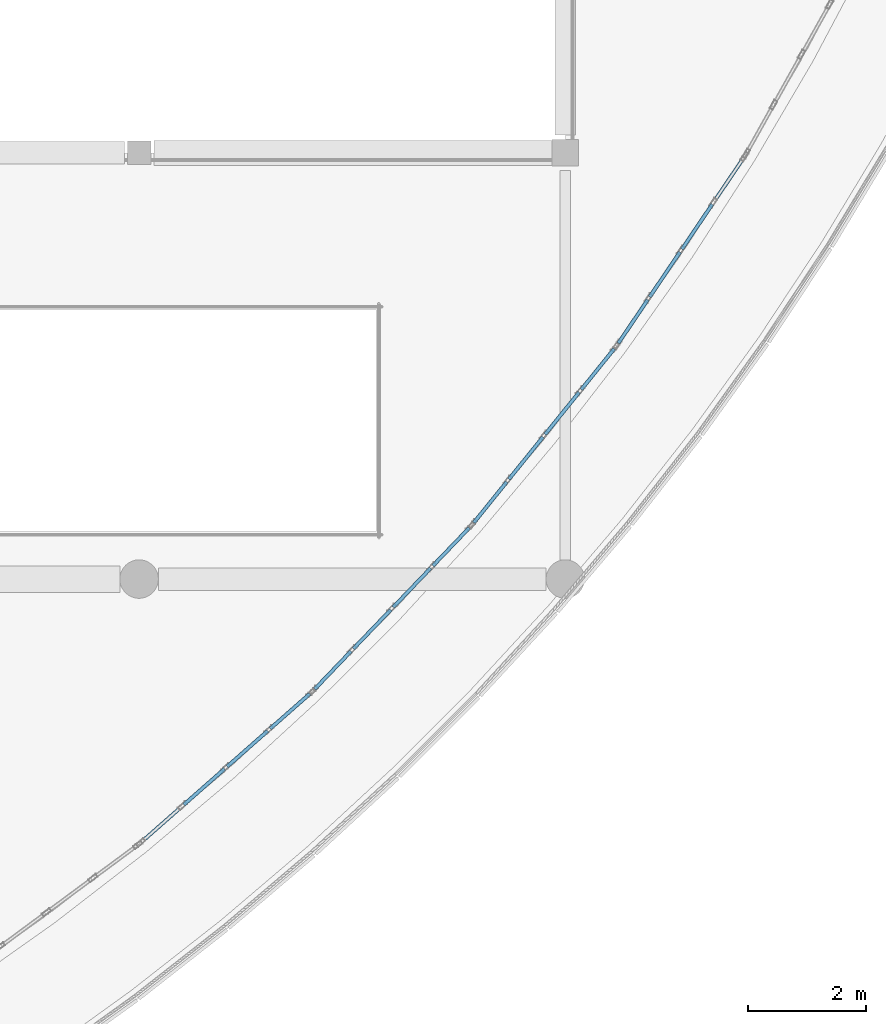
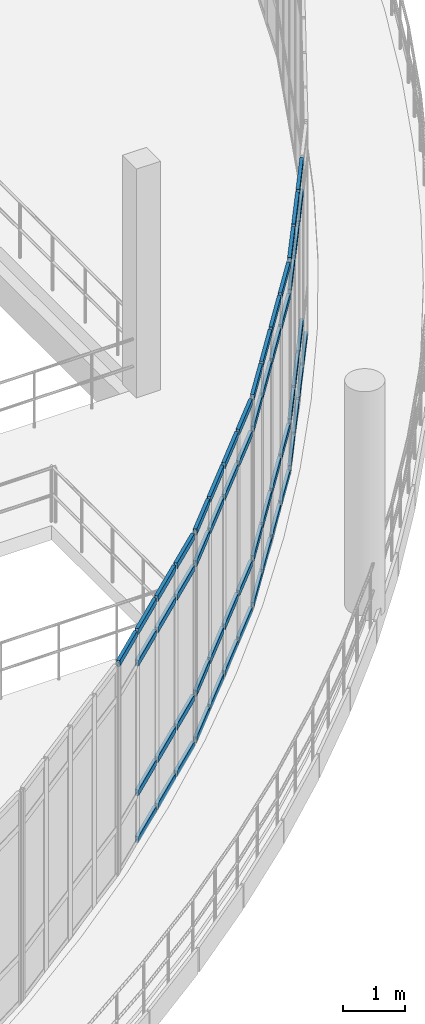
# One storey, part 81 of 116: 58 members, 4 elements without a shape of their own.
"""IFC4 building model written with IfcOpenShell, lengths in metres."""

from ifc_helpers import new_model, si_unit, direction, frame, origin, origin_2d, place, context, subcontext, project, spatial, hollow_rectangle, extrude, material, material_profile, profile_set, type_object, element, aggregate, save


model = new_model("IFC4")

# Units and contexts
model_context = context("Model", 3, precision=1e-05, world=origin(), true_north=direction((0.0, 1.0)))
body_context = subcontext(model_context, "Body", "Model", "MODEL_VIEW")
ifc_project = project(units=[si_unit("LENGTHUNIT", "METRE"), si_unit("AREAUNIT", "SQUARE_METRE"), si_unit("VOLUMEUNIT", "CUBIC_METRE"), si_unit("PLANEANGLEUNIT", "RADIAN"), si_unit("MASSUNIT", "GRAM", prefix="KILO")], contexts=[model_context])

# Site, building, storey
site_placement = place(None, origin())
site = spatial("IfcSite", under=ifc_project, at=site_placement, CompositionType="ELEMENT")
building_placement = place(site_placement, origin())
building = spatial("IfcBuilding", under=site, at=building_placement, Name="Kalluvel Institute of Natural Sciences", CompositionType="ELEMENT")
storey_placement = place(building_placement, frame((0.0, 0.0, 14.39990234375)))
storey = spatial("IfcBuildingStorey", under=building, at=storey_placement, Name="L03", CompositionType="ELEMENT", Elevation=14.39990234375)

# Curtain wall, members
ifc_material = material(Name="Aluminium AW-6063 T6", Category="aluminium")
curtain_wall_type = type_object("IfcCurtainWallType", Name="CW-ATR-ARC", PredefinedType="USERDEFINED", material=ifc_material)
curtain_wall_1_placement = place(storey_placement, origin())
curtain_wall_1 = element("IfcCurtainWall", 1, at=curtain_wall_1_placement, inside=storey, type_object=curtain_wall_type, Name="L03 Gothic lancet curtain wall CWA-L03-X644-Y671", ObjectType="UNITISED LANCET FACADE", PredefinedType="USERDEFINED")
ifc_material_profile = material_profile(ifc_material, hollow_rectangle(XDim=0.06005859375, YDim=0.1201171875, WallThickness=0.00390625, at=origin_2d()), Name="CWT 60x120")
ifc_profile_set = profile_set([ifc_material_profile], Name="Aluminium AW-6063 T6")
member_type = type_object("IfcMemberType", Name="CWT-60x120", PredefinedType="USERDEFINED", material=ifc_profile_set)
member_1_placement = place(storey_placement, frame((64.448974609375, 67.166748046875, 4.1201171875), z_axis=(0.750740943472, 0.660596727055, 0.0), x_axis=(-0.660596727055, 0.750740943472, 0.0)))
member_1 = element("IfcMember", 2, at=member_1_placement, type_object=member_type, Name="CW-05 transom 1.4", ObjectType="TRANSOM", PredefinedType="USERDEFINED", context=body_context, shape_type="SweptSolid", body=[
    extrude(hollow_rectangle(XDim=0.06005859375, YDim=0.1201171875, WallThickness=0.00390625, at=origin_2d()), origin(), (0.0, 0.0, 1.0), 0.8828125),
])
member_2_placement = place(storey_placement, frame((65.15673828125, 67.789794921875, 0.030029296875), z_axis=(0.750734738971, 0.660603778147, 0.0), x_axis=(-0.660603778147, 0.750734738971, 0.0)))
member_2 = element("IfcMember", 3, at=member_2_placement, type_object=member_type, Name="CW-05 transom 2.1", ObjectType="TRANSOM", PredefinedType="USERDEFINED", context=body_context, shape_type="SweptSolid", body=[
    extrude(hollow_rectangle(XDim=0.06005859375, YDim=0.1201171875, WallThickness=0.00390625, at=origin_2d()), origin(), (0.0, 0.0, 1.0), 0.912841796875),
])
member_3_placement = place(storey_placement, frame((65.15673828125, 67.789794921875, 0.9501953125), z_axis=(0.750734738971, 0.660603778147, 0.0), x_axis=(-0.660603778147, 0.750734738971, 0.0)))
member_3 = element("IfcMember", 4, at=member_3_placement, type_object=member_type, Name="CW-05 transom 2.2", ObjectType="TRANSOM", PredefinedType="USERDEFINED", context=body_context, shape_type="SweptSolid", body=[
    extrude(hollow_rectangle(XDim=0.06005859375, YDim=0.1201171875, WallThickness=0.00390625, at=origin_2d()), origin(), (0.0, 0.0, 1.0), 0.912841796875),
])
member_4_placement = place(storey_placement, frame((65.15673828125, 67.789794921875, 3.5), z_axis=(0.750734738971, 0.660603778147, 0.0), x_axis=(-0.660603778147, 0.750734738971, 0.0)))
member_4 = element("IfcMember", 5, at=member_4_placement, type_object=member_type, Name="CW-05 transom 2.3", ObjectType="TRANSOM", PredefinedType="USERDEFINED", context=body_context, shape_type="SweptSolid", body=[
    extrude(hollow_rectangle(XDim=0.06005859375, YDim=0.1201171875, WallThickness=0.00390625, at=origin_2d()), origin(), (0.0, 0.0, 1.0), 0.912841796875),
])
member_5_placement = place(storey_placement, frame((65.15673828125, 67.789794921875, 4.1201171875), z_axis=(0.750734738971, 0.660603778147, 0.0), x_axis=(-0.660603778147, 0.750734738971, 0.0)))
member_5 = element("IfcMember", 6, at=member_5_placement, type_object=member_type, Name="CW-05 transom 2.4", ObjectType="TRANSOM", PredefinedType="USERDEFINED", context=body_context, shape_type="SweptSolid", body=[
    extrude(hollow_rectangle(XDim=0.06005859375, YDim=0.1201171875, WallThickness=0.00390625, at=origin_2d()), origin(), (0.0, 0.0, 1.0), 0.912841796875),
])
member_6_placement = place(storey_placement, frame((65.88720703125, 68.4326171875, 0.030029296875), z_axis=(0.750734738971, 0.660603778147, 0.0), x_axis=(-0.660603778147, 0.750734738971, 0.0)))
member_6 = element("IfcMember", 7, at=member_6_placement, type_object=member_type, Name="CW-05 transom 3.1", ObjectType="TRANSOM", PredefinedType="USERDEFINED", context=body_context, shape_type="SweptSolid", body=[
    extrude(hollow_rectangle(XDim=0.06005859375, YDim=0.1201171875, WallThickness=0.00390625, at=origin_2d()), origin(), (0.0, 0.0, 1.0), 0.912841796875),
])
member_7_placement = place(storey_placement, frame((65.88720703125, 68.4326171875, 0.9501953125), z_axis=(0.750734738971, 0.660603778147, 0.0), x_axis=(-0.660603778147, 0.750734738971, 0.0)))
member_7 = element("IfcMember", 8, at=member_7_placement, type_object=member_type, Name="CW-05 transom 3.2", ObjectType="TRANSOM", PredefinedType="USERDEFINED", context=body_context, shape_type="SweptSolid", body=[
    extrude(hollow_rectangle(XDim=0.06005859375, YDim=0.1201171875, WallThickness=0.00390625, at=origin_2d()), origin(), (0.0, 0.0, 1.0), 0.912841796875),
])
member_8_placement = place(storey_placement, frame((65.88720703125, 68.4326171875, 3.5), z_axis=(0.750734738971, 0.660603778147, 0.0), x_axis=(-0.660603778147, 0.750734738971, 0.0)))
member_8 = element("IfcMember", 9, at=member_8_placement, type_object=member_type, Name="CW-05 transom 3.3", ObjectType="TRANSOM", PredefinedType="USERDEFINED", context=body_context, shape_type="SweptSolid", body=[
    extrude(hollow_rectangle(XDim=0.06005859375, YDim=0.1201171875, WallThickness=0.00390625, at=origin_2d()), origin(), (0.0, 0.0, 1.0), 0.912841796875),
])
member_9_placement = place(storey_placement, frame((65.88720703125, 68.4326171875, 4.1201171875), z_axis=(0.750734738971, 0.660603778147, 0.0), x_axis=(-0.660603778147, 0.750734738971, 0.0)))
member_9 = element("IfcMember", 10, at=member_9_placement, type_object=member_type, Name="CW-05 transom 3.4", ObjectType="TRANSOM", PredefinedType="USERDEFINED", context=body_context, shape_type="SweptSolid", body=[
    extrude(hollow_rectangle(XDim=0.06005859375, YDim=0.1201171875, WallThickness=0.00390625, at=origin_2d()), origin(), (0.0, 0.0, 1.0), 0.912841796875),
])
member_10_placement = place(storey_placement, frame((66.617431640625, 69.075439453125, 0.030029296875), z_axis=(0.750740943472, 0.660596727055, 0.0), x_axis=(-0.660596727055, 0.750740943472, 0.0)))
member_10 = element("IfcMember", 11, at=member_10_placement, type_object=member_type, Name="CW-05 transom 4.1", ObjectType="TRANSOM", PredefinedType="USERDEFINED", context=body_context, shape_type="SweptSolid", body=[
    extrude(hollow_rectangle(XDim=0.06005859375, YDim=0.1201171875, WallThickness=0.00390625, at=origin_2d()), origin(), (0.0, 0.0, 1.0), 0.8828125),
])
member_11_placement = place(storey_placement, frame((66.617431640625, 69.075439453125, 0.9501953125), z_axis=(0.750740943472, 0.660596727055, 0.0), x_axis=(-0.660596727055, 0.750740943472, 0.0)))
member_11 = element("IfcMember", 12, at=member_11_placement, type_object=member_type, Name="CW-05 transom 4.2", ObjectType="TRANSOM", PredefinedType="USERDEFINED", context=body_context, shape_type="SweptSolid", body=[
    extrude(hollow_rectangle(XDim=0.06005859375, YDim=0.1201171875, WallThickness=0.00390625, at=origin_2d()), origin(), (0.0, 0.0, 1.0), 0.8828125),
])
member_12_placement = place(storey_placement, frame((66.617431640625, 69.075439453125, 3.5), z_axis=(0.750740943472, 0.660596727055, 0.0), x_axis=(-0.660596727055, 0.750740943472, 0.0)))
member_12 = element("IfcMember", 13, at=member_12_placement, type_object=member_type, Name="CW-05 transom 4.3", ObjectType="TRANSOM", PredefinedType="USERDEFINED", context=body_context, shape_type="SweptSolid", body=[
    extrude(hollow_rectangle(XDim=0.06005859375, YDim=0.1201171875, WallThickness=0.00390625, at=origin_2d()), origin(), (0.0, 0.0, 1.0), 0.8828125),
])
member_13_placement = place(storey_placement, frame((66.617431640625, 69.075439453125, 4.1201171875), z_axis=(0.750740943472, 0.660596727055, 0.0), x_axis=(-0.660596727055, 0.750740943472, 0.0)))
member_13 = element("IfcMember", 14, at=member_13_placement, type_object=member_type, Name="CW-05 transom 4.4", ObjectType="TRANSOM", PredefinedType="USERDEFINED", context=body_context, shape_type="SweptSolid", body=[
    extrude(hollow_rectangle(XDim=0.06005859375, YDim=0.1201171875, WallThickness=0.00390625, at=origin_2d()), origin(), (0.0, 0.0, 1.0), 0.8828125),
])
aggregate(curtain_wall_1, [member_1, member_2, member_3, member_4, member_5, member_6, member_7, member_8, member_9, member_10, member_11, member_12, member_13])

curtain_wall_2_placement = place(storey_placement, origin())
curtain_wall_2 = element("IfcCurtainWall", 15, at=curtain_wall_2_placement, inside=storey, type_object=curtain_wall_type, Name="L03 Gothic lancet curtain wall CWA-L03-X673-Y697", ObjectType="UNITISED LANCET FACADE", PredefinedType="USERDEFINED")
member_14_placement = place(storey_placement, frame((67.366943359375, 69.74169921875, 0.030029296875), z_axis=(0.691875332348, 0.722016983518, 0.0), x_axis=(-0.722016983518, 0.691875332348, 0.0)))
member_14 = element("IfcMember", 16, at=member_14_placement, type_object=member_type, Name="CW-05 transom 1.1", ObjectType="TRANSOM", PredefinedType="USERDEFINED", context=body_context, shape_type="SweptSolid", body=[
    extrude(hollow_rectangle(XDim=0.06005859375, YDim=0.1201171875, WallThickness=0.00390625, at=origin_2d()), origin(), (0.0, 0.0, 1.0), 0.8828125),
])
member_15_placement = place(storey_placement, frame((67.366943359375, 69.74169921875, 0.9501953125), z_axis=(0.691875332348, 0.722016983518, 0.0), x_axis=(-0.722016983518, 0.691875332348, 0.0)))
member_15 = element("IfcMember", 17, at=member_15_placement, type_object=member_type, Name="CW-05 transom 1.2", ObjectType="TRANSOM", PredefinedType="USERDEFINED", context=body_context, shape_type="SweptSolid", body=[
    extrude(hollow_rectangle(XDim=0.06005859375, YDim=0.1201171875, WallThickness=0.00390625, at=origin_2d()), origin(), (0.0, 0.0, 1.0), 0.8828125),
])
member_16_placement = place(storey_placement, frame((67.366943359375, 69.74169921875, 3.5), z_axis=(0.691875332348, 0.722016983518, 0.0), x_axis=(-0.722016983518, 0.691875332348, 0.0)))
member_16 = element("IfcMember", 18, at=member_16_placement, type_object=member_type, Name="CW-05 transom 1.3", ObjectType="TRANSOM", PredefinedType="USERDEFINED", context=body_context, shape_type="SweptSolid", body=[
    extrude(hollow_rectangle(XDim=0.06005859375, YDim=0.1201171875, WallThickness=0.00390625, at=origin_2d()), origin(), (0.0, 0.0, 1.0), 0.8828125),
])
member_17_placement = place(storey_placement, frame((67.366943359375, 69.74169921875, 4.1201171875), z_axis=(0.691875332348, 0.722016983518, 0.0), x_axis=(-0.722016983518, 0.691875332348, 0.0)))
member_17 = element("IfcMember", 19, at=member_17_placement, type_object=member_type, Name="CW-05 transom 1.4", ObjectType="TRANSOM", PredefinedType="USERDEFINED", context=body_context, shape_type="SweptSolid", body=[
    extrude(hollow_rectangle(XDim=0.06005859375, YDim=0.1201171875, WallThickness=0.00390625, at=origin_2d()), origin(), (0.0, 0.0, 1.0), 0.8828125),
])
member_18_placement = place(storey_placement, frame((68.019287109375, 70.42236328125, 0.030029296875), z_axis=(0.691975047751, 0.721921417669, 0.0), x_axis=(-0.721921417669, 0.691975047751, 0.0)))
member_18 = element("IfcMember", 20, at=member_18_placement, type_object=member_type, Name="CW-05 transom 2.1", ObjectType="TRANSOM", PredefinedType="USERDEFINED", context=body_context, shape_type="SweptSolid", body=[
    extrude(hollow_rectangle(XDim=0.06005859375, YDim=0.1201171875, WallThickness=0.00390625, at=origin_2d()), origin(), (0.0, 0.0, 1.0), 0.9130859375),
])
member_19_placement = place(storey_placement, frame((68.019287109375, 70.42236328125, 0.9501953125), z_axis=(0.691975047751, 0.721921417669, 0.0), x_axis=(-0.721921417669, 0.691975047751, 0.0)))
member_19 = element("IfcMember", 21, at=member_19_placement, type_object=member_type, Name="CW-05 transom 2.2", ObjectType="TRANSOM", PredefinedType="USERDEFINED", context=body_context, shape_type="SweptSolid", body=[
    extrude(hollow_rectangle(XDim=0.06005859375, YDim=0.1201171875, WallThickness=0.00390625, at=origin_2d()), origin(), (0.0, 0.0, 1.0), 0.9130859375),
])
member_20_placement = place(storey_placement, frame((68.019287109375, 70.42236328125, 3.5), z_axis=(0.691975047751, 0.721921417669, 0.0), x_axis=(-0.721921417669, 0.691975047751, 0.0)))
member_20 = element("IfcMember", 22, at=member_20_placement, type_object=member_type, Name="CW-05 transom 2.3", ObjectType="TRANSOM", PredefinedType="USERDEFINED", context=body_context, shape_type="SweptSolid", body=[
    extrude(hollow_rectangle(XDim=0.06005859375, YDim=0.1201171875, WallThickness=0.00390625, at=origin_2d()), origin(), (0.0, 0.0, 1.0), 0.9130859375),
])
member_21_placement = place(storey_placement, frame((68.019287109375, 70.42236328125, 4.1201171875), z_axis=(0.691975047751, 0.721921417669, 0.0), x_axis=(-0.721921417669, 0.691975047751, 0.0)))
member_21 = element("IfcMember", 23, at=member_21_placement, type_object=member_type, Name="CW-05 transom 2.4", ObjectType="TRANSOM", PredefinedType="USERDEFINED", context=body_context, shape_type="SweptSolid", body=[
    extrude(hollow_rectangle(XDim=0.06005859375, YDim=0.1201171875, WallThickness=0.00390625, at=origin_2d()), origin(), (0.0, 0.0, 1.0), 0.9130859375),
])
member_22_placement = place(storey_placement, frame((68.692626953125, 71.124755859375, 0.030029296875), z_axis=(0.691835659378, 0.722054998191, 0.0), x_axis=(-0.722054998191, 0.691835659378, 0.0)))
member_22 = element("IfcMember", 24, at=member_22_placement, type_object=member_type, Name="CW-05 transom 3.1", ObjectType="TRANSOM", PredefinedType="USERDEFINED", context=body_context, shape_type="SweptSolid", body=[
    extrude(hollow_rectangle(XDim=0.06005859375, YDim=0.1201171875, WallThickness=0.00390625, at=origin_2d()), origin(), (0.0, 0.0, 1.0), 0.912841796875),
])
member_23_placement = place(storey_placement, frame((68.692626953125, 71.124755859375, 0.9501953125), z_axis=(0.691835659378, 0.722054998191, 0.0), x_axis=(-0.722054998191, 0.691835659378, 0.0)))
member_23 = element("IfcMember", 25, at=member_23_placement, type_object=member_type, Name="CW-05 transom 3.2", ObjectType="TRANSOM", PredefinedType="USERDEFINED", context=body_context, shape_type="SweptSolid", body=[
    extrude(hollow_rectangle(XDim=0.06005859375, YDim=0.1201171875, WallThickness=0.00390625, at=origin_2d()), origin(), (0.0, 0.0, 1.0), 0.912841796875),
])
member_24_placement = place(storey_placement, frame((68.692626953125, 71.124755859375, 3.5), z_axis=(0.691835659378, 0.722054998191, 0.0), x_axis=(-0.722054998191, 0.691835659378, 0.0)))
member_24 = element("IfcMember", 26, at=member_24_placement, type_object=member_type, Name="CW-05 transom 3.3", ObjectType="TRANSOM", PredefinedType="USERDEFINED", context=body_context, shape_type="SweptSolid", body=[
    extrude(hollow_rectangle(XDim=0.06005859375, YDim=0.1201171875, WallThickness=0.00390625, at=origin_2d()), origin(), (0.0, 0.0, 1.0), 0.912841796875),
])
member_25_placement = place(storey_placement, frame((68.692626953125, 71.124755859375, 4.1201171875), z_axis=(0.691835659378, 0.722054998191, 0.0), x_axis=(-0.722054998191, 0.691835659378, 0.0)))
member_25 = element("IfcMember", 27, at=member_25_placement, type_object=member_type, Name="CW-05 transom 3.4", ObjectType="TRANSOM", PredefinedType="USERDEFINED", context=body_context, shape_type="SweptSolid", body=[
    extrude(hollow_rectangle(XDim=0.06005859375, YDim=0.1201171875, WallThickness=0.00390625, at=origin_2d()), origin(), (0.0, 0.0, 1.0), 0.912841796875),
])
member_26_placement = place(storey_placement, frame((69.36572265625, 71.827392578125, 0.030029296875), z_axis=(0.692019447863, 0.72187885672, 0.0), x_axis=(-0.72187885672, 0.692019447863, 0.0)))
member_26 = element("IfcMember", 28, at=member_26_placement, type_object=member_type, Name="CW-05 transom 4.1", ObjectType="TRANSOM", PredefinedType="USERDEFINED", context=body_context, shape_type="SweptSolid", body=[
    extrude(hollow_rectangle(XDim=0.06005859375, YDim=0.1201171875, WallThickness=0.00390625, at=origin_2d()), origin(), (0.0, 0.0, 1.0), 0.883056640625),
])
member_27_placement = place(storey_placement, frame((69.36572265625, 71.827392578125, 0.9501953125), z_axis=(0.692019447863, 0.72187885672, 0.0), x_axis=(-0.72187885672, 0.692019447863, 0.0)))
member_27 = element("IfcMember", 29, at=member_27_placement, type_object=member_type, Name="CW-05 transom 4.2", ObjectType="TRANSOM", PredefinedType="USERDEFINED", context=body_context, shape_type="SweptSolid", body=[
    extrude(hollow_rectangle(XDim=0.06005859375, YDim=0.1201171875, WallThickness=0.00390625, at=origin_2d()), origin(), (0.0, 0.0, 1.0), 0.883056640625),
])
member_28_placement = place(storey_placement, frame((69.36572265625, 71.827392578125, 3.5), z_axis=(0.692019447863, 0.72187885672, 0.0), x_axis=(-0.72187885672, 0.692019447863, 0.0)))
member_28 = element("IfcMember", 30, at=member_28_placement, type_object=member_type, Name="CW-05 transom 4.3", ObjectType="TRANSOM", PredefinedType="USERDEFINED", context=body_context, shape_type="SweptSolid", body=[
    extrude(hollow_rectangle(XDim=0.06005859375, YDim=0.1201171875, WallThickness=0.00390625, at=origin_2d()), origin(), (0.0, 0.0, 1.0), 0.883056640625),
])
member_29_placement = place(storey_placement, frame((69.36572265625, 71.827392578125, 4.1201171875), z_axis=(0.692019447863, 0.72187885672, 0.0), x_axis=(-0.72187885672, 0.692019447863, 0.0)))
member_29 = element("IfcMember", 31, at=member_29_placement, type_object=member_type, Name="CW-05 transom 4.4", ObjectType="TRANSOM", PredefinedType="USERDEFINED", context=body_context, shape_type="SweptSolid", body=[
    extrude(hollow_rectangle(XDim=0.06005859375, YDim=0.1201171875, WallThickness=0.00390625, at=origin_2d()), origin(), (0.0, 0.0, 1.0), 0.883056640625),
])
aggregate(curtain_wall_2, [member_14, member_15, member_16, member_17, member_18, member_19, member_20, member_21, member_22, member_23, member_24, member_25, member_26, member_27, member_28, member_29])

curtain_wall_3_placement = place(storey_placement, origin())
curtain_wall_3 = element("IfcCurtainWall", 32, at=curtain_wall_3_placement, inside=storey, type_object=curtain_wall_type, Name="L03 Gothic lancet curtain wall CWA-L03-X700-Y725", ObjectType="UNITISED LANCET FACADE", PredefinedType="USERDEFINED")
member_30_placement = place(storey_placement, frame((70.055908203125, 72.5546875, 0.030029296875), z_axis=(0.628195507733, 0.778055527623, 0.0), x_axis=(-0.778055527623, 0.628195507733, 0.0)))
member_30 = element("IfcMember", 33, at=member_30_placement, type_object=member_type, Name="CW-05 transom 1.1", ObjectType="TRANSOM", PredefinedType="USERDEFINED", context=body_context, shape_type="SweptSolid", body=[
    extrude(hollow_rectangle(XDim=0.06005859375, YDim=0.1201171875, WallThickness=0.00390625, at=origin_2d()), origin(), (0.0, 0.0, 1.0), 0.883056640625),
])
member_31_placement = place(storey_placement, frame((70.055908203125, 72.5546875, 0.9501953125), z_axis=(0.628195507733, 0.778055527623, 0.0), x_axis=(-0.778055527623, 0.628195507733, 0.0)))
member_31 = element("IfcMember", 34, at=member_31_placement, type_object=member_type, Name="CW-05 transom 1.2", ObjectType="TRANSOM", PredefinedType="USERDEFINED", context=body_context, shape_type="SweptSolid", body=[
    extrude(hollow_rectangle(XDim=0.06005859375, YDim=0.1201171875, WallThickness=0.00390625, at=origin_2d()), origin(), (0.0, 0.0, 1.0), 0.883056640625),
])
member_32_placement = place(storey_placement, frame((70.055908203125, 72.5546875, 3.5), z_axis=(0.628195507733, 0.778055527623, 0.0), x_axis=(-0.778055527623, 0.628195507733, 0.0)))
member_32 = element("IfcMember", 35, at=member_32_placement, type_object=member_type, Name="CW-05 transom 1.3", ObjectType="TRANSOM", PredefinedType="USERDEFINED", context=body_context, shape_type="SweptSolid", body=[
    extrude(hollow_rectangle(XDim=0.06005859375, YDim=0.1201171875, WallThickness=0.00390625, at=origin_2d()), origin(), (0.0, 0.0, 1.0), 0.883056640625),
])
member_33_placement = place(storey_placement, frame((70.055908203125, 72.5546875, 4.1201171875), z_axis=(0.628195507733, 0.778055527623, 0.0), x_axis=(-0.778055527623, 0.628195507733, 0.0)))
member_33 = element("IfcMember", 36, at=member_33_placement, type_object=member_type, Name="CW-05 transom 1.4", ObjectType="TRANSOM", PredefinedType="USERDEFINED", context=body_context, shape_type="SweptSolid", body=[
    extrude(hollow_rectangle(XDim=0.06005859375, YDim=0.1201171875, WallThickness=0.00390625, at=origin_2d()), origin(), (0.0, 0.0, 1.0), 0.883056640625),
])
member_34_placement = place(storey_placement, frame((70.6484375, 73.288330078125, 0.030029296875), z_axis=(0.628113014256, 0.778122124941, 0.0), x_axis=(-0.778122124941, 0.628113014256, 0.0)))
member_34 = element("IfcMember", 37, at=member_34_placement, type_object=member_type, Name="CW-05 transom 2.1", ObjectType="TRANSOM", PredefinedType="USERDEFINED", context=body_context, shape_type="SweptSolid", body=[
    extrude(hollow_rectangle(XDim=0.06005859375, YDim=0.1201171875, WallThickness=0.00390625, at=origin_2d()), origin(), (0.0, 0.0, 1.0), 0.9130859375),
])
member_35_placement = place(storey_placement, frame((70.6484375, 73.288330078125, 0.9501953125), z_axis=(0.628113014256, 0.778122124941, 0.0), x_axis=(-0.778122124941, 0.628113014256, 0.0)))
member_35 = element("IfcMember", 38, at=member_35_placement, type_object=member_type, Name="CW-05 transom 2.2", ObjectType="TRANSOM", PredefinedType="USERDEFINED", context=body_context, shape_type="SweptSolid", body=[
    extrude(hollow_rectangle(XDim=0.06005859375, YDim=0.1201171875, WallThickness=0.00390625, at=origin_2d()), origin(), (0.0, 0.0, 1.0), 0.9130859375),
])
member_36_placement = place(storey_placement, frame((70.6484375, 73.288330078125, 3.5), z_axis=(0.628113014256, 0.778122124941, 0.0), x_axis=(-0.778122124941, 0.628113014256, 0.0)))
member_36 = element("IfcMember", 39, at=member_36_placement, type_object=member_type, Name="CW-05 transom 2.3", ObjectType="TRANSOM", PredefinedType="USERDEFINED", context=body_context, shape_type="SweptSolid", body=[
    extrude(hollow_rectangle(XDim=0.06005859375, YDim=0.1201171875, WallThickness=0.00390625, at=origin_2d()), origin(), (0.0, 0.0, 1.0), 0.9130859375),
])
member_37_placement = place(storey_placement, frame((70.6484375, 73.288330078125, 4.1201171875), z_axis=(0.628113014256, 0.778122124941, 0.0), x_axis=(-0.778122124941, 0.628113014256, 0.0)))
member_37 = element("IfcMember", 40, at=member_37_placement, type_object=member_type, Name="CW-05 transom 2.4", ObjectType="TRANSOM", PredefinedType="USERDEFINED", context=body_context, shape_type="SweptSolid", body=[
    extrude(hollow_rectangle(XDim=0.06005859375, YDim=0.1201171875, WallThickness=0.00390625, at=origin_2d()), origin(), (0.0, 0.0, 1.0), 0.9130859375),
])
member_38_placement = place(storey_placement, frame((71.259765625, 74.04541015625, 0.030029296875), z_axis=(0.628113014256, 0.778122124941, 0.0), x_axis=(-0.778122124941, 0.628113014256, 0.0)))
member_38 = element("IfcMember", 41, at=member_38_placement, type_object=member_type, Name="CW-05 transom 3.1", ObjectType="TRANSOM", PredefinedType="USERDEFINED", context=body_context, shape_type="SweptSolid", body=[
    extrude(hollow_rectangle(XDim=0.06005859375, YDim=0.1201171875, WallThickness=0.00390625, at=origin_2d()), origin(), (0.0, 0.0, 1.0), 0.9130859375),
])
member_39_placement = place(storey_placement, frame((71.259765625, 74.04541015625, 0.9501953125), z_axis=(0.628113014256, 0.778122124941, 0.0), x_axis=(-0.778122124941, 0.628113014256, 0.0)))
member_39 = element("IfcMember", 42, at=member_39_placement, type_object=member_type, Name="CW-05 transom 3.2", ObjectType="TRANSOM", PredefinedType="USERDEFINED", context=body_context, shape_type="SweptSolid", body=[
    extrude(hollow_rectangle(XDim=0.06005859375, YDim=0.1201171875, WallThickness=0.00390625, at=origin_2d()), origin(), (0.0, 0.0, 1.0), 0.9130859375),
])
member_40_placement = place(storey_placement, frame((71.259765625, 74.04541015625, 3.5), z_axis=(0.628113014256, 0.778122124941, 0.0), x_axis=(-0.778122124941, 0.628113014256, 0.0)))
member_40 = element("IfcMember", 43, at=member_40_placement, type_object=member_type, Name="CW-05 transom 3.3", ObjectType="TRANSOM", PredefinedType="USERDEFINED", context=body_context, shape_type="SweptSolid", body=[
    extrude(hollow_rectangle(XDim=0.06005859375, YDim=0.1201171875, WallThickness=0.00390625, at=origin_2d()), origin(), (0.0, 0.0, 1.0), 0.9130859375),
])
member_41_placement = place(storey_placement, frame((71.259765625, 74.04541015625, 4.1201171875), z_axis=(0.628113014256, 0.778122124941, 0.0), x_axis=(-0.778122124941, 0.628113014256, 0.0)))
member_41 = element("IfcMember", 44, at=member_41_placement, type_object=member_type, Name="CW-05 transom 3.4", ObjectType="TRANSOM", PredefinedType="USERDEFINED", context=body_context, shape_type="SweptSolid", body=[
    extrude(hollow_rectangle(XDim=0.06005859375, YDim=0.1201171875, WallThickness=0.00390625, at=origin_2d()), origin(), (0.0, 0.0, 1.0), 0.9130859375),
])
member_42_placement = place(storey_placement, frame((71.870849609375, 74.802490234375, 0.030029296875), z_axis=(0.628195507733, 0.778055527623, 0.0), x_axis=(-0.778055527623, 0.628195507733, 0.0)))
member_42 = element("IfcMember", 45, at=member_42_placement, type_object=member_type, Name="CW-05 transom 4.1", ObjectType="TRANSOM", PredefinedType="USERDEFINED", context=body_context, shape_type="SweptSolid", body=[
    extrude(hollow_rectangle(XDim=0.06005859375, YDim=0.1201171875, WallThickness=0.00390625, at=origin_2d()), origin(), (0.0, 0.0, 1.0), 0.883056640625),
])
member_43_placement = place(storey_placement, frame((71.870849609375, 74.802490234375, 0.9501953125), z_axis=(0.628195507733, 0.778055527623, 0.0), x_axis=(-0.778055527623, 0.628195507733, 0.0)))
member_43 = element("IfcMember", 46, at=member_43_placement, type_object=member_type, Name="CW-05 transom 4.2", ObjectType="TRANSOM", PredefinedType="USERDEFINED", context=body_context, shape_type="SweptSolid", body=[
    extrude(hollow_rectangle(XDim=0.06005859375, YDim=0.1201171875, WallThickness=0.00390625, at=origin_2d()), origin(), (0.0, 0.0, 1.0), 0.883056640625),
])
member_44_placement = place(storey_placement, frame((71.870849609375, 74.802490234375, 3.5), z_axis=(0.628195507733, 0.778055527623, 0.0), x_axis=(-0.778055527623, 0.628195507733, 0.0)))
member_44 = element("IfcMember", 47, at=member_44_placement, type_object=member_type, Name="CW-05 transom 4.3", ObjectType="TRANSOM", PredefinedType="USERDEFINED", context=body_context, shape_type="SweptSolid", body=[
    extrude(hollow_rectangle(XDim=0.06005859375, YDim=0.1201171875, WallThickness=0.00390625, at=origin_2d()), origin(), (0.0, 0.0, 1.0), 0.883056640625),
])
member_45_placement = place(storey_placement, frame((71.870849609375, 74.802490234375, 4.1201171875), z_axis=(0.628195507733, 0.778055527623, 0.0), x_axis=(-0.778055527623, 0.628195507733, 0.0)))
member_45 = element("IfcMember", 48, at=member_45_placement, type_object=member_type, Name="CW-05 transom 4.4", ObjectType="TRANSOM", PredefinedType="USERDEFINED", context=body_context, shape_type="SweptSolid", body=[
    extrude(hollow_rectangle(XDim=0.06005859375, YDim=0.1201171875, WallThickness=0.00390625, at=origin_2d()), origin(), (0.0, 0.0, 1.0), 0.883056640625),
])
aggregate(curtain_wall_3, [member_30, member_31, member_32, member_33, member_34, member_35, member_36, member_37, member_38, member_39, member_40, member_41, member_42, member_43, member_44, member_45])

curtain_wall_4_placement = place(storey_placement, origin())
curtain_wall_4 = element("IfcCurtainWall", 49, at=curtain_wall_4_placement, inside=storey, type_object=curtain_wall_type, Name="L03 Gothic lancet curtain wall CWA-L03-X725-Y755", ObjectType="UNITISED LANCET FACADE", PredefinedType="USERDEFINED")
member_46_placement = place(storey_placement, frame((72.496826171875, 75.585693359375, 0.030029296875), z_axis=(0.559857411278, 0.828588968691, 0.0), x_axis=(-0.828588968691, 0.559857411278, 0.0)))
member_46 = element("IfcMember", 50, at=member_46_placement, type_object=member_type, Name="CW-05 transom 1.1", ObjectType="TRANSOM", PredefinedType="USERDEFINED", context=body_context, shape_type="SweptSolid", body=[
    extrude(hollow_rectangle(XDim=0.06005859375, YDim=0.1201171875, WallThickness=0.00390625, at=origin_2d()), origin(), (0.0, 0.0, 1.0), 0.883056640625),
])
member_47_placement = place(storey_placement, frame((72.496826171875, 75.585693359375, 0.9501953125), z_axis=(0.559857411278, 0.828588968691, 0.0), x_axis=(-0.828588968691, 0.559857411278, 0.0)))
member_47 = element("IfcMember", 51, at=member_47_placement, type_object=member_type, Name="CW-05 transom 1.2", ObjectType="TRANSOM", PredefinedType="USERDEFINED", context=body_context, shape_type="SweptSolid", body=[
    extrude(hollow_rectangle(XDim=0.06005859375, YDim=0.1201171875, WallThickness=0.00390625, at=origin_2d()), origin(), (0.0, 0.0, 1.0), 0.883056640625),
])
member_48_placement = place(storey_placement, frame((72.496826171875, 75.585693359375, 3.5), z_axis=(0.559857411278, 0.828588968691, 0.0), x_axis=(-0.828588968691, 0.559857411278, 0.0)))
member_48 = element("IfcMember", 52, at=member_48_placement, type_object=member_type, Name="CW-05 transom 1.3", ObjectType="TRANSOM", PredefinedType="USERDEFINED", context=body_context, shape_type="SweptSolid", body=[
    extrude(hollow_rectangle(XDim=0.06005859375, YDim=0.1201171875, WallThickness=0.00390625, at=origin_2d()), origin(), (0.0, 0.0, 1.0), 0.883056640625),
])
member_49_placement = place(storey_placement, frame((72.496826171875, 75.585693359375, 4.1201171875), z_axis=(0.559857411278, 0.828588968691, 0.0), x_axis=(-0.828588968691, 0.559857411278, 0.0)))
member_49 = element("IfcMember", 53, at=member_49_placement, type_object=member_type, Name="CW-05 transom 1.4", ObjectType="TRANSOM", PredefinedType="USERDEFINED", context=body_context, shape_type="SweptSolid", body=[
    extrude(hollow_rectangle(XDim=0.06005859375, YDim=0.1201171875, WallThickness=0.00390625, at=origin_2d()), origin(), (0.0, 0.0, 1.0), 0.883056640625),
])
member_50_placement = place(storey_placement, frame((73.02490234375, 76.366943359375, 0.030029296875), z_axis=(0.559872294861, 0.828578912022, 0.0), x_axis=(-0.828578912022, 0.559872294861, 0.0)))
member_50 = element("IfcMember", 54, at=member_50_placement, type_object=member_type, Name="CW-05 transom 2.1", ObjectType="TRANSOM", PredefinedType="USERDEFINED", context=body_context, shape_type="SweptSolid", body=[
    extrude(hollow_rectangle(XDim=0.06005859375, YDim=0.1201171875, WallThickness=0.00390625, at=origin_2d()), origin(), (0.0, 0.0, 1.0), 0.9130859375),
])
member_51_placement = place(storey_placement, frame((73.02490234375, 76.366943359375, 0.9501953125), z_axis=(0.559872294861, 0.828578912022, 0.0), x_axis=(-0.828578912022, 0.559872294861, 0.0)))
member_51 = element("IfcMember", 55, at=member_51_placement, type_object=member_type, Name="CW-05 transom 2.2", ObjectType="TRANSOM", PredefinedType="USERDEFINED", context=body_context, shape_type="SweptSolid", body=[
    extrude(hollow_rectangle(XDim=0.06005859375, YDim=0.1201171875, WallThickness=0.00390625, at=origin_2d()), origin(), (0.0, 0.0, 1.0), 0.9130859375),
])
member_52_placement = place(storey_placement, frame((73.02490234375, 76.366943359375, 3.5), z_axis=(0.559872294861, 0.828578912022, 0.0), x_axis=(-0.828578912022, 0.559872294861, 0.0)))
member_52 = element("IfcMember", 56, at=member_52_placement, type_object=member_type, Name="CW-05 transom 2.3", ObjectType="TRANSOM", PredefinedType="USERDEFINED", context=body_context, shape_type="SweptSolid", body=[
    extrude(hollow_rectangle(XDim=0.06005859375, YDim=0.1201171875, WallThickness=0.00390625, at=origin_2d()), origin(), (0.0, 0.0, 1.0), 0.9130859375),
])
member_53_placement = place(storey_placement, frame((73.02490234375, 76.366943359375, 4.1201171875), z_axis=(0.559872294861, 0.828578912022, 0.0), x_axis=(-0.828578912022, 0.559872294861, 0.0)))
member_53 = element("IfcMember", 57, at=member_53_placement, type_object=member_type, Name="CW-05 transom 2.4", ObjectType="TRANSOM", PredefinedType="USERDEFINED", context=body_context, shape_type="SweptSolid", body=[
    extrude(hollow_rectangle(XDim=0.06005859375, YDim=0.1201171875, WallThickness=0.00390625, at=origin_2d()), origin(), (0.0, 0.0, 1.0), 0.9130859375),
])
member_54_placement = place(storey_placement, frame((73.56982421875, 77.173095703125, 0.030029296875), z_axis=(0.559996348469, 0.828495075243, 0.0), x_axis=(-0.828495075243, 0.559996348469, 0.0)))
member_54 = element("IfcMember", 58, at=member_54_placement, type_object=member_type, Name="CW-05 transom 3.1", ObjectType="TRANSOM", PredefinedType="USERDEFINED", context=body_context, shape_type="SweptSolid", body=[
    extrude(hollow_rectangle(XDim=0.06005859375, YDim=0.1201171875, WallThickness=0.00390625, at=origin_2d()), origin(), (0.0, 0.0, 1.0), 0.912841796875),
])
member_55_placement = place(storey_placement, frame((73.56982421875, 77.173095703125, 0.9501953125), z_axis=(0.559996348469, 0.828495075243, 0.0), x_axis=(-0.828495075243, 0.559996348469, 0.0)))
member_55 = element("IfcMember", 59, at=member_55_placement, type_object=member_type, Name="CW-05 transom 3.2", ObjectType="TRANSOM", PredefinedType="USERDEFINED", context=body_context, shape_type="SweptSolid", body=[
    extrude(hollow_rectangle(XDim=0.06005859375, YDim=0.1201171875, WallThickness=0.00390625, at=origin_2d()), origin(), (0.0, 0.0, 1.0), 0.912841796875),
])
member_56_placement = place(storey_placement, frame((73.56982421875, 77.173095703125, 3.5), z_axis=(0.559996348469, 0.828495075243, 0.0), x_axis=(-0.828495075243, 0.559996348469, 0.0)))
member_56 = element("IfcMember", 60, at=member_56_placement, type_object=member_type, Name="CW-05 transom 3.3", ObjectType="TRANSOM", PredefinedType="USERDEFINED", context=body_context, shape_type="SweptSolid", body=[
    extrude(hollow_rectangle(XDim=0.06005859375, YDim=0.1201171875, WallThickness=0.00390625, at=origin_2d()), origin(), (0.0, 0.0, 1.0), 0.912841796875),
])
member_57_placement = place(storey_placement, frame((73.56982421875, 77.173095703125, 4.1201171875), z_axis=(0.559996348469, 0.828495075243, 0.0), x_axis=(-0.828495075243, 0.559996348469, 0.0)))
member_57 = element("IfcMember", 61, at=member_57_placement, type_object=member_type, Name="CW-05 transom 3.4", ObjectType="TRANSOM", PredefinedType="USERDEFINED", context=body_context, shape_type="SweptSolid", body=[
    extrude(hollow_rectangle(XDim=0.06005859375, YDim=0.1201171875, WallThickness=0.00390625, at=origin_2d()), origin(), (0.0, 0.0, 1.0), 0.912841796875),
])
member_58_placement = place(storey_placement, frame((74.114501953125, 77.979248046875, 0.030029296875), z_axis=(0.559985687382, 0.828502281184, 0.0), x_axis=(-0.828502281184, 0.559985687382, 0.0)))
member_58 = element("IfcMember", 62, at=member_58_placement, type_object=member_type, Name="CW-05 transom 4.1", ObjectType="TRANSOM", PredefinedType="USERDEFINED", context=body_context, shape_type="SweptSolid", body=[
    extrude(hollow_rectangle(XDim=0.06005859375, YDim=0.1201171875, WallThickness=0.00390625, at=origin_2d()), origin(), (0.0, 0.0, 1.0), 0.8828125),
])
aggregate(curtain_wall_4, [member_46, member_47, member_48, member_49, member_50, member_51, member_52, member_53, member_54, member_55, member_56, member_57, member_58])

save(model, "model.ifc")
